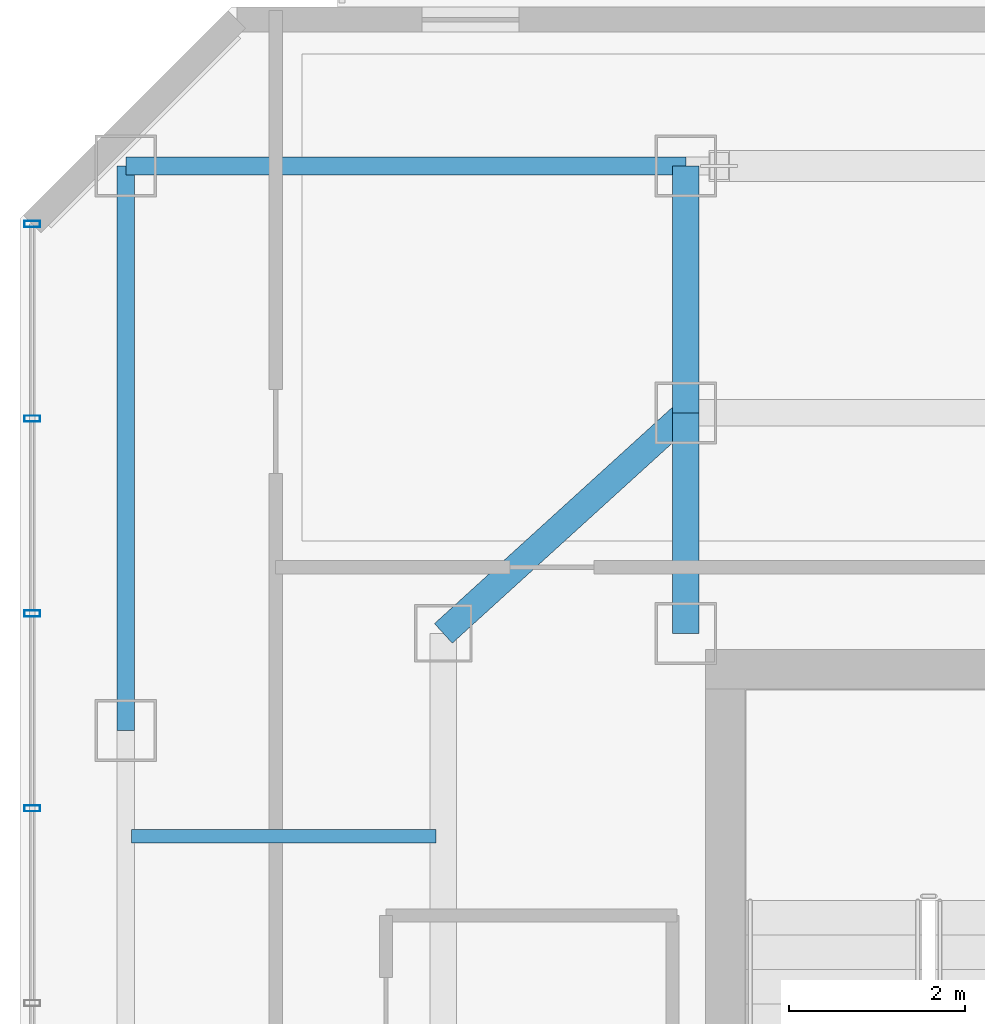
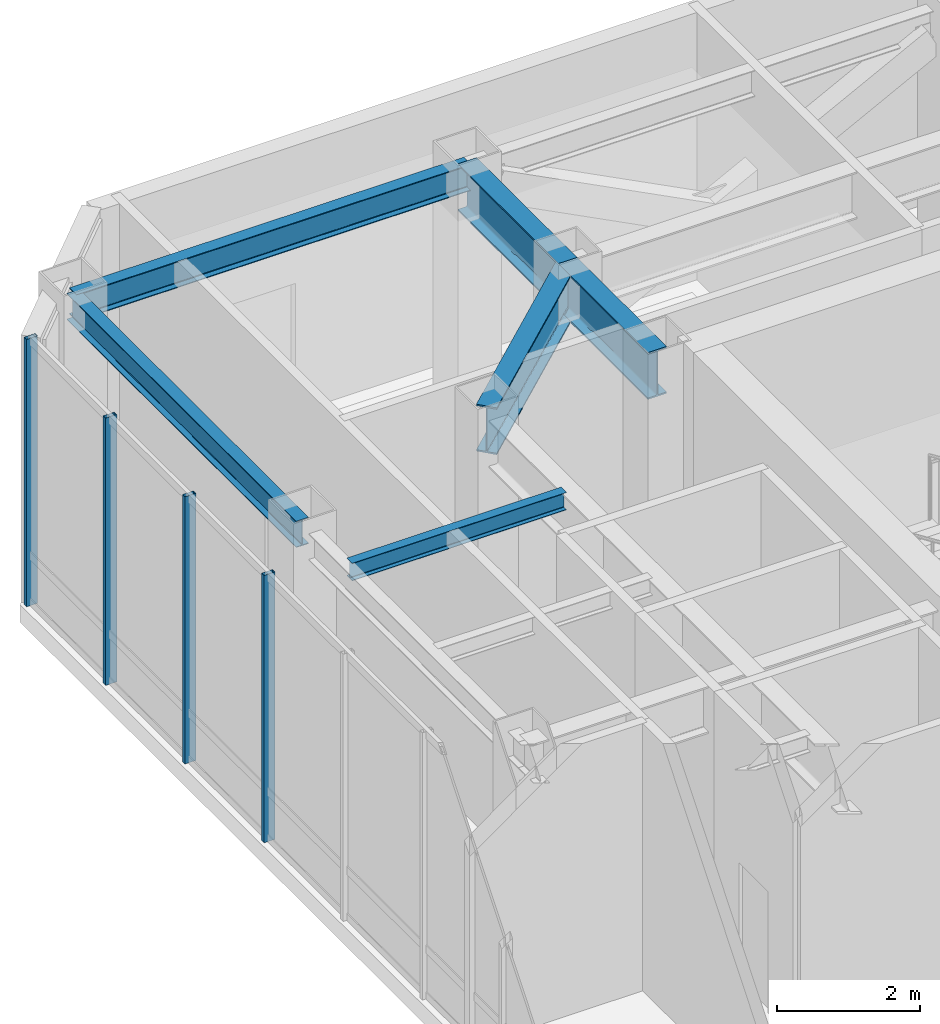
# One storey, part 11 of 21: 6 beams, 4 members, 1 element without a shape of its own.
"""IFC4 building model written with IfcOpenShell, lengths in metres."""

from ifc_helpers import new_model, si_unit, direction, frame, origin, origin_2d, place, context, subcontext, project, spatial, hollow_rectangle, i_section, extrude, material, layer, layer_set, material_profile, profile_set, type_object, element, aggregate, save


model = new_model("IFC4")

# Units and contexts
model_context = context("Model", 3, precision=1e-05, world=origin(), true_north=direction((0.0, 1.0)))
body_context = subcontext(model_context, "Body", "Model", "MODEL_VIEW")
ifc_project = project(units=[si_unit("LENGTHUNIT", "METRE"), si_unit("AREAUNIT", "SQUARE_METRE"), si_unit("VOLUMEUNIT", "CUBIC_METRE"), si_unit("PLANEANGLEUNIT", "RADIAN"), si_unit("MASSUNIT", "GRAM", prefix="KILO")], contexts=[model_context])

# Site, building, storey
site_placement = place(None, origin())
site = spatial("IfcSite", under=ifc_project, at=site_placement, CompositionType="ELEMENT")
building_placement = place(site_placement, origin())
building = spatial("IfcBuilding", under=site, at=building_placement, Name="Hatsunagi Terrace Concourse", CompositionType="ELEMENT")
storey_placement = place(building_placement, frame((0.0, 0.0, 234.75)))
storey = spatial("IfcBuildingStorey", under=building, at=storey_placement, Name="L62", CompositionType="ELEMENT", Elevation=234.75)

# Curtain wall, members
ifc_material_1 = material(Name="Anodised Aluminium Alloy 6063-T5", Category="aluminium")
ifc_layer = layer(ifc_material_1, 0.199951171875)
ifc_layer_set = layer_set([ifc_layer], Name="OfficeZone2_CW04")
curtain_wall_type = type_object("IfcCurtainWallType", Name="OfficeZone2_CW04", PredefinedType="NOTDEFINED", material=ifc_layer_set)
curtain_wall_placement = place(storey_placement, origin())
curtain_wall = element("IfcCurtainWall", 1, at=curtain_wall_placement, inside=storey, type_object=curtain_wall_type, Name="Unitised Curtain Wall CW-04 CW-L62-08", PredefinedType="NOTDEFINED")
ifc_material_2 = material(Name="Anodised Aluminium Alloy 6063-T5", Category="aluminium")
ifc_material_profile_1 = material_profile(ifc_material_2, hollow_rectangle(XDim=0.070068359375, YDim=0.179931640625, WallThickness=0.00390625, at=origin_2d()), Name="ALU-MUL-180x70x4")
ifc_profile_set_1 = profile_set([ifc_material_profile_1], Name="Anodised Aluminium Alloy 6063-T5")
member_type = type_object("IfcMemberType", Name="CurtainWallMullion_180x70", PredefinedType="MULLION", material=ifc_profile_set_1)
member_1_placement = place(storey_placement, frame((18.139892578125, 41.31689453125, 0.0), z_axis=(0.0, 0.0, 1.0), x_axis=(0.0, 1.0, 0.0)))
member_1 = element("IfcMember", 2, at=member_1_placement, type_object=member_type, Name="Curtain Wall Mullion MUL-02", PredefinedType="MULLION", context=body_context, shape_type="SweptSolid", body=[
    extrude(hollow_rectangle(XDim=0.070068359375, YDim=0.179931640625, WallThickness=0.00390625, at=origin_2d()), origin(), (0.0, 0.0, 1.0), 4.550048828125),
])
member_2_placement = place(storey_placement, frame((18.139892578125, 43.52490234375, 0.0), z_axis=(0.0, 0.0, 1.0), x_axis=(0.0, 1.0, 0.0)))
member_2 = element("IfcMember", 3, at=member_2_placement, type_object=member_type, Name="Curtain Wall Mullion MUL-02", PredefinedType="MULLION", context=body_context, shape_type="SweptSolid", body=[
    extrude(hollow_rectangle(XDim=0.070068359375, YDim=0.179931640625, WallThickness=0.00390625, at=origin_2d()), origin(), (0.0, 0.0, 1.0), 4.550048828125),
])
member_3_placement = place(storey_placement, frame((18.139892578125, 45.73388671875, 0.0), z_axis=(0.0, 0.0, 1.0), x_axis=(0.0, 1.0, 0.0)))
member_3 = element("IfcMember", 4, at=member_3_placement, type_object=member_type, Name="Curtain Wall Mullion MUL-02", PredefinedType="MULLION", context=body_context, shape_type="SweptSolid", body=[
    extrude(hollow_rectangle(XDim=0.070068359375, YDim=0.179931640625, WallThickness=0.00390625, at=origin_2d()), origin(), (0.0, 0.0, 1.0), 4.550048828125),
])
member_4_placement = place(storey_placement, frame((18.139892578125, 47.94189453125, 0.0), z_axis=(0.0, 0.0, 1.0), x_axis=(0.0, 1.0, 0.0)))
member_4 = element("IfcMember", 5, at=member_4_placement, type_object=member_type, Name="Curtain Wall Mullion MUL-02", PredefinedType="MULLION", context=body_context, shape_type="SweptSolid", body=[
    extrude(hollow_rectangle(XDim=0.070068359375, YDim=0.179931640625, WallThickness=0.00390625, at=origin_2d()), origin(), (0.0, 0.0, 1.0), 4.550048828125),
])
aggregate(curtain_wall, [member_1, member_2, member_3, member_4])

# Beams
ifc_material_3 = material(Name="Steel SN490B", Category="steel")
ifc_material_profile_2 = material_profile(ifc_material_3, i_section(OverallWidth=0.14990234375, OverallDepth=0.300048828125, WebThickness=0.006591796875, FlangeThickness=0.009033203125, FilletRadius=0.010986328125, at=origin_2d()), Name="H-300x150x6.5x9")
ifc_profile_set_2 = profile_set([ifc_material_profile_2], Name="Steel SN490B")
beam_type_1 = type_object("IfcBeamType", Name="OfficeJoist_H_300x150", PredefinedType="JOIST", material=ifc_profile_set_2)
beam_1_placement = place(storey_placement, frame((19.264892578125, 41.0, 4.39990234375), z_axis=(1.0, 0.0, 0.0), x_axis=(0.0, 1.0, 0.0)))
element("IfcBeam", 6, at=beam_1_placement, inside=storey, type_object=beam_type_1, Name="Beam J-03 J-L62-W-19-410", PredefinedType="JOIST", context=body_context, shape_type="SweptSolid", body=[
    extrude(i_section(OverallWidth=0.14990234375, OverallDepth=0.300048828125, WebThickness=0.006591796875, FlangeThickness=0.009033203125, FilletRadius=0.010986328125, at=origin_2d()), origin(), (0.0, 0.0, 1.0), 3.4501953125),
])
ifc_material_4 = material(Name="Steel SN490B", Category="steel")
ifc_material_profile_3 = material_profile(ifc_material_4, i_section(OverallWidth=0.199951171875, OverallDepth=0.449951171875, WebThickness=0.009033203125, FlangeThickness=0.013916015625, FilletRadius=0.01611328125, at=origin_2d()), Name="H-450x200x9x14")
ifc_profile_set_3 = profile_set([ifc_material_profile_3], Name="Steel SN490B")
beam_type_2 = type_object("IfcBeamType", Name="PerimeterSpandrel_H_450x200", PredefinedType="SPANDREL", material=ifc_profile_set_3)
beam_2_placement = place(storey_placement, frame((19.199951171875, 48.60009765625, 4.324951171875), z_axis=(1.0, 0.0, 0.0), x_axis=(0.0, 1.0, 0.0)))
element("IfcBeam", 7, at=beam_2_placement, inside=storey, type_object=beam_type_2, Name="Beam SP-02 BM-L62-WN-19", PredefinedType="SPANDREL", context=body_context, shape_type="SweptSolid", body=[
    extrude(i_section(OverallWidth=0.199951171875, OverallDepth=0.449951171875, WebThickness=0.009033203125, FlangeThickness=0.013916015625, FilletRadius=0.01611328125, at=origin_2d()), origin(), (0.0, 0.0, 1.0), 6.35009765625),
])
beam_3_placement = place(storey_placement, frame((19.199951171875, 42.199951171875, 4.324951171875), z_axis=(0.0, 1.0, 0.0), x_axis=(-1.0, 0.0, 0.0)))
element("IfcBeam", 8, at=beam_3_placement, inside=storey, type_object=beam_type_2, Name="Beam SP-02 BM-L62-NS-19-42", PredefinedType="SPANDREL", context=body_context, shape_type="SweptSolid", body=[
    extrude(i_section(OverallWidth=0.199951171875, OverallDepth=0.449951171875, WebThickness=0.009033203125, FlangeThickness=0.013916015625, FilletRadius=0.01611328125, at=origin_2d()), origin(), (0.0, 0.0, 1.0), 6.400146484375),
])
ifc_material_5 = material(Name="Steel SN490B", Category="steel")
ifc_material_profile_4 = material_profile(ifc_material_5, i_section(OverallWidth=0.300048828125, OverallDepth=0.800048828125, WebThickness=0.013916015625, FlangeThickness=0.02587890625, FilletRadius=0.02197265625, at=origin_2d()), Name="H-800x300x14x26")
ifc_profile_set_4 = profile_set([ifc_material_profile_4], Name="Steel SN490B")
beam_type_3 = type_object("IfcBeamType", Name="SkyLobbyGirder_H_800x300", PredefinedType="BEAM", material=ifc_profile_set_4)
beam_4_placement = place(storey_placement, frame((25.550048828125, 43.300048828125, 4.14990234375), z_axis=(0.0, 1.0, 0.0), x_axis=(-1.0, 0.0, 0.0)))
element("IfcBeam", 9, at=beam_4_placement, inside=storey, type_object=beam_type_3, Name="Beam G-03 BM-L62-CN1", PredefinedType="BEAM", context=body_context, shape_type="SweptSolid", body=[
    extrude(i_section(OverallWidth=0.300048828125, OverallDepth=0.800048828125, WebThickness=0.013916015625, FlangeThickness=0.02587890625, FilletRadius=0.02197265625, at=origin_2d()), origin(), (0.0, 0.0, 1.0), 2.5),
])
beam_5_placement = place(storey_placement, frame((25.550048828125, 45.800048828125, 4.14990234375), z_axis=(0.0, 1.0, 0.0), x_axis=(-1.0, 0.0, 0.0)))
element("IfcBeam", 10, at=beam_5_placement, inside=storey, type_object=beam_type_3, Name="Beam G-03 BM-L62-KN-WN4", PredefinedType="BEAM", context=body_context, shape_type="SweptSolid", body=[
    extrude(i_section(OverallWidth=0.300048828125, OverallDepth=0.800048828125, WebThickness=0.013916015625, FlangeThickness=0.02587890625, FilletRadius=0.02197265625, at=origin_2d()), origin(), (0.0, 0.0, 1.0), 2.800048828125),
])
beam_6_placement = place(storey_placement, frame((22.800048828125, 43.300048828125, 4.14990234375), z_axis=(0.739940073396, 0.672672793996, 0.0), x_axis=(-0.672672793996, 0.739940073396, 0.0)))
element("IfcBeam", 11, at=beam_6_placement, inside=storey, type_object=beam_type_3, Name="Beam G-03 BM-L62-CWEW-N", PredefinedType="BEAM", context=body_context, shape_type="SweptSolid", body=[
    extrude(i_section(OverallWidth=0.300048828125, OverallDepth=0.800048828125, WebThickness=0.013916015625, FlangeThickness=0.02587890625, FilletRadius=0.02197265625, at=origin_2d()), origin(), (0.0, 0.0, 1.0), 3.716552734375),
])

save(model, "model.ifc")
